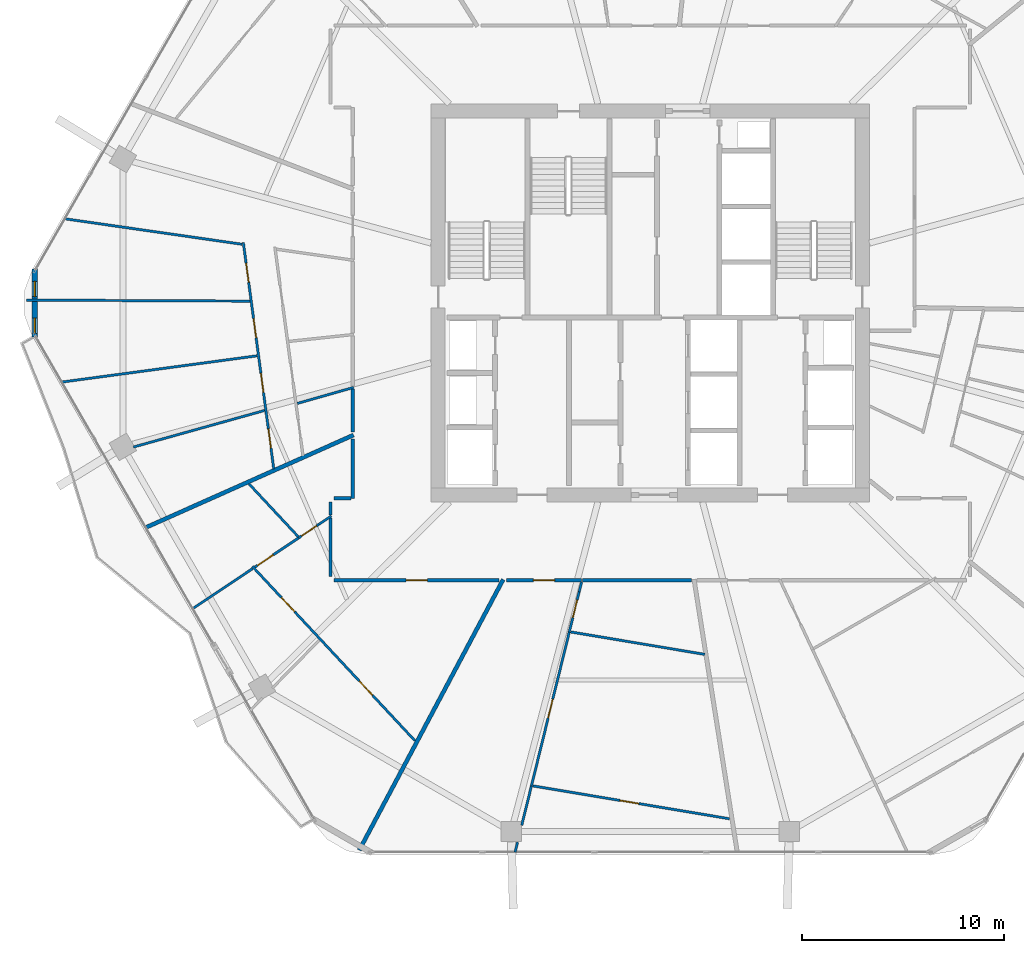
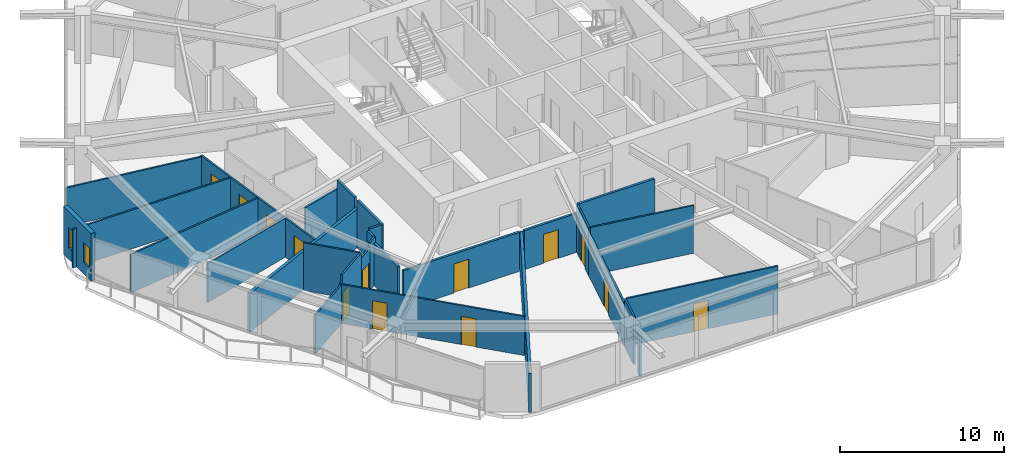
# One storey, part 17 of 25: 30 walls, 13 doors, 2 windows, 15 openings.
"""IFC4 building model written with IfcOpenShell, lengths in metres."""

from ifc_helpers import new_model, si_unit, direction, frame, frame_2d, origin, place, context, subcontext, project, spatial, rectangle, extrude, material, layer, layer_set, type_object, element, fill, save


model = new_model("IFC4")

# Units and contexts
model_context = context("Model", 3, precision=1e-05, world=origin(), true_north=direction((0.0, 1.0)))
body_context = subcontext(model_context, "Body", "Model", "MODEL_VIEW")
ifc_project = project(units=[si_unit("LENGTHUNIT", "METRE"), si_unit("AREAUNIT", "SQUARE_METRE"), si_unit("VOLUMEUNIT", "CUBIC_METRE"), si_unit("PLANEANGLEUNIT", "RADIAN"), si_unit("MASSUNIT", "GRAM", prefix="KILO")], contexts=[model_context])

# Site, building, storey
site_placement = place(None, origin())
site = spatial("IfcSite", under=ifc_project, at=site_placement, CompositionType="ELEMENT")
building_placement = place(site_placement, origin())
building = spatial("IfcBuilding", under=site, at=building_placement, Name="Zuhravey Tower", CompositionType="ELEMENT")
storey_placement = place(building_placement, frame((0.0, 0.0, 180.800048828125)))
storey = spatial("IfcBuildingStorey", under=building, at=storey_placement, Name="L45", CompositionType="ELEMENT", Elevation=180.800048828125)

# Wall, opening, door
ifc_material_1 = material(Name="Gypsum fire-rated stud partition")
ifc_layer_1 = layer(ifc_material_1, 0.159912109375)
ifc_layer_set_1 = layer_set([ifc_layer_1], Name="Gypsum fire-rated stud partition")
wall_type_1 = type_object("IfcWallType", Name="Corridor Fire Partition 160", PredefinedType="PARTITIONING", material=ifc_layer_set_1)
wall_1_placement = place(storey_placement, frame((20.35009765625, 18.27001953125, 0.0), z_axis=(0.0, 0.0, 1.0), x_axis=(1.0, 0.0, 0.0)))
wall_1 = element("IfcWall", 1, at=wall_1_placement, inside=storey, type_object=wall_type_1, Name="L45 IW16 Partition 042", PredefinedType="PARTITIONING", context=body_context, shape_type="SweptSolid", body=[
    extrude(rectangle(XDim=8.17236328125, YDim=0.159912109375, at=frame_2d((4.086181640625, 0.0))), origin(), (0.0, 0.0, 1.0), 2.89990234375),
])
opening_1_placement = place(wall_1_placement, frame((3.561279296875, 0.0, 0.0)))
opening_1 = element("IfcOpeningElement", 2, at=opening_1_placement, cuts=wall_1, Name="Opening APD1", PredefinedType="OPENING", context=body_context, shape_type="SweptSolid", body=[
    extrude(rectangle(XDim=1.050048828125, YDim=2.14990234375, at=frame_2d((0.52490234375, 1.074951171875))), frame((0.0, 0.092041015625, 0.0), z_axis=(0.0, -1.0, 0.0), x_axis=(1.0, 0.0, 0.0)), (0.0, 0.0, 1.0), 0.183837890625),
])
ifc_material_2 = material(Name="Solid-core oak fire-rated leaf")
door_type_1 = type_object("IfcDoorType", Name="Apartment Entrance Fire Door 1050x2150", OperationType="NOTDEFINED", PredefinedType="DOOR", material=ifc_material_2)
door_1_placement = place(opening_1_placement, frame((1.050048828125, 0.0, 0.0), z_axis=(0.0, 0.0, 1.0), x_axis=(-1.0, 0.0, 0.0)))
door_1 = element("IfcDoor", 3, at=door_1_placement, inside=storey, type_object=door_type_1, Name="L45 Door 042.1", OperationType="SINGLE_SWING_RIGHT", OverallHeight=2.14990234375, OverallWidth=1.050048828125, PredefinedType="DOOR", context=body_context, shape_type="SweptSolid", body=[
    extrude(rectangle(XDim=1.050048828125, YDim=2.14990234375, at=frame_2d((0.52490234375, 1.074951171875))), frame((0.0, 0.02490234375, 0.0), z_axis=(0.0, -1.0, 0.0), x_axis=(1.0, 0.0, 0.0)), (0.0, 0.0, 1.0), 0.050048828125),
])
fill(opening_1, door_1)

wall_2_placement = place(storey_placement, frame((28.875244140625, 18.27001953125, 0.0), z_axis=(0.0, 0.0, 1.0), x_axis=(1.0, 0.0, 0.0)))
wall_2 = element("IfcWall", 4, at=wall_2_placement, inside=storey, type_object=wall_type_1, Name="L45 IW16 Partition 046", PredefinedType="PARTITIONING", context=body_context, shape_type="SweptSolid", body=[
    extrude(rectangle(XDim=3.7265625, YDim=0.159912109375, at=frame_2d((1.86328125, 0.0))), origin(), (0.0, 0.0, 1.0), 2.89990234375),
])
opening_2_placement = place(wall_2_placement, frame((1.33837890625, 0.0, 0.0)))
opening_2 = element("IfcOpeningElement", 5, at=opening_2_placement, cuts=wall_2, Name="Opening APD1", PredefinedType="OPENING", context=body_context, shape_type="SweptSolid", body=[
    extrude(rectangle(XDim=1.050048828125, YDim=2.14990234375, at=frame_2d((0.52490234375, 1.074951171875))), frame((0.0, 0.092041015625, 0.0), z_axis=(0.0, -1.0, 0.0), x_axis=(1.0, 0.0, 0.0)), (0.0, 0.0, 1.0), 0.183837890625),
])
door_2_placement = place(opening_2_placement, frame((1.050048828125, 0.0, 0.0), z_axis=(0.0, 0.0, 1.0), x_axis=(-1.0, 0.0, 0.0)))
door_2 = element("IfcDoor", 6, at=door_2_placement, inside=storey, type_object=door_type_1, Name="L45 Door 046.1", OperationType="SINGLE_SWING_RIGHT", OverallHeight=2.14990234375, OverallWidth=1.050048828125, PredefinedType="DOOR", context=body_context, shape_type="SweptSolid", body=[
    extrude(rectangle(XDim=1.050048828125, YDim=2.14990234375, at=frame_2d((0.52490234375, 1.074951171875))), frame((0.0, 0.02490234375, 0.0), z_axis=(0.0, -1.0, 0.0), x_axis=(1.0, 0.0, 0.0)), (0.0, 0.0, 1.0), 0.050048828125),
])
fill(opening_2, door_2)

# Walls
wall_3_placement = place(storey_placement, frame((21.27001953125, 27.734375, 0.0), z_axis=(0.0, 0.0, 1.0), x_axis=(0.0, -1.0, 0.0)))
element("IfcWall", 7, at=wall_3_placement, inside=storey, type_object=wall_type_1, Name="L45 IW16 Partition 113", PredefinedType="PARTITIONING", context=body_context, shape_type="SweptSolid", body=[
    extrude(rectangle(XDim=2.117431640625, YDim=0.159912109375, at=frame_2d((1.05859375, 0.0))), origin(), (0.0, 0.0, 1.0), 3.550048828125),
])
wall_4_placement = place(storey_placement, frame((20.169921875, 21.341064453125, 0.0), z_axis=(0.0, 0.0, 1.0), x_axis=(0.0, -1.0, 0.0)))
element("IfcWall", 8, at=wall_4_placement, inside=storey, type_object=wall_type_1, Name="L45 IW16 Partition 114", PredefinedType="PARTITIONING", context=body_context, shape_type="SweptSolid", body=[
    extrude(rectangle(XDim=2.89111328125, YDim=0.159912109375, at=frame_2d((1.445556640625, 0.0))), origin(), (0.0, 0.0, 1.0), 3.14990234375),
])
wall_5_placement = place(storey_placement, frame((21.27001953125, 25.26513671875, 0.0), z_axis=(0.0, 0.0, 1.0), x_axis=(0.0, -1.0, 0.0)))
element("IfcWall", 9, at=wall_5_placement, inside=storey, type_object=wall_type_1, Name="L45 IW16 Partition 115", PredefinedType="PARTITIONING", context=body_context, shape_type="SweptSolid", body=[
    extrude(rectangle(XDim=2.93505859375, YDim=0.159912109375, at=frame_2d((1.467529296875, 0.0))), origin(), (0.0, 0.0, 1.0), 3.550048828125),
])
wall_6_placement = place(storey_placement, frame((21.181884765625, 22.330078125, 0.0), z_axis=(0.0, 0.0, 1.0), x_axis=(-1.0, 0.0, 0.0)))
element("IfcWall", 10, at=wall_6_placement, inside=storey, type_object=wall_type_1, Name="L45 IW16 Partition 116", PredefinedType="PARTITIONING", context=body_context, shape_type="SweptSolid", body=[
    extrude(rectangle(XDim=0.831787109375, YDim=0.159912109375, at=frame_2d((0.416015625, 0.0))), origin(), (0.0, 0.0, 1.0), 3.550048828125),
])
wall_7_placement = place(storey_placement, frame((20.169921875, 22.14990234375, 0.0), z_axis=(0.0, 0.0, 1.0), x_axis=(0.0, -1.0, 0.0)))
element("IfcWall", 11, at=wall_7_placement, inside=storey, type_object=wall_type_1, Name="L45 IW16 Partition 117", PredefinedType="PARTITIONING", context=body_context, shape_type="SweptSolid", body=[
    extrude(rectangle(XDim=0.6455078125, YDim=0.159912109375, at=frame_2d((0.32275390625, 0.0))), origin(), (0.0, 0.0, 1.0), 3.550048828125),
])
wall_8_placement = place(storey_placement, frame((32.64306640625, 18.27001953125, 0.0), z_axis=(0.0, 0.0, 1.0), x_axis=(1.0, 0.0, 0.0)))
element("IfcWall", 12, at=wall_8_placement, inside=storey, type_object=wall_type_1, Name="L45 IW16 Partition 118", PredefinedType="PARTITIONING", context=body_context, shape_type="SweptSolid", body=[
    extrude(rectangle(XDim=5.388671875, YDim=0.159912109375, at=frame_2d((2.6943359375, 0.0))), origin(), (0.0, 0.0, 1.0), 3.550048828125),
])

# Wall, openings, windows
ifc_material_3 = material(Name="Precast concrete C40/50", Category="concrete")
ifc_layer_2 = layer(ifc_material_3, 0.280029296875)
ifc_layer_set_2 = layer_set([ifc_layer_2], Name="Precast concrete C40/50")
wall_type_2 = type_object("IfcWallType", Name="Crown Architectural Wall 280", PredefinedType="SOLIDWALL", material=ifc_layer_set_2)
wall_9_placement = place(storey_placement, frame((5.5283203125, 30.3173828125, 0.0), z_axis=(0.0, 0.0, 1.0), x_axis=(0.0, 1.0, 0.0)))
wall_9 = element("IfcWall", 13, at=wall_9_placement, inside=storey, type_object=wall_type_2, Name="L45 Rounded Corner Closure Wall EW28-06", PredefinedType="SOLIDWALL", context=body_context, shape_type="SweptSolid", body=[
    extrude(rectangle(XDim=3.365234375, YDim=0.280029296875, at=frame_2d((1.6826171875, 0.0))), origin(), (0.0, 0.0, 1.0), 3.550048828125),
])
opening_3_placement = place(wall_9_placement, frame((1.994384765625, 0.0, 0.85009765625)))
opening_3 = element("IfcOpeningElement", 14, at=opening_3_placement, cuts=wall_9, Name="Opening WN5", PredefinedType="OPENING", context=body_context, shape_type="SweptSolid", body=[
    extrude(rectangle(XDim=0.75, YDim=1.5, at=frame_2d((0.375, 0.75))), frame((0.0, 0.152099609375, 0.0), z_axis=(0.0, -1.0, 0.0), x_axis=(1.0, 0.0, 0.0)), (0.0, 0.0, 1.0), 0.303955078125),
])
opening_4_placement = place(wall_9_placement, frame((0.17919921875, 0.0, 0.85009765625)))
opening_4 = element("IfcOpeningElement", 15, at=opening_4_placement, cuts=wall_9, Name="Opening WN5", PredefinedType="OPENING", context=body_context, shape_type="SweptSolid", body=[
    extrude(rectangle(XDim=0.75, YDim=1.5, at=frame_2d((0.375, 0.75))), frame((0.0, 0.152099609375, 0.0), z_axis=(0.0, -1.0, 0.0), x_axis=(1.0, 0.0, 0.0)), (0.0, 0.0, 1.0), 0.303955078125),
])
ifc_material_4 = material(Name="Thermally broken aluminium and triple low-E glass", Category="aluminium")
window_type = type_object("IfcWindowType", Name="Residential Corner Casement Window 750x1500", PartitioningType="SINGLE_PANEL", PredefinedType="WINDOW", material=ifc_material_4)
window_1_placement = place(opening_3_placement, origin())
window_1 = element("IfcWindow", 16, at=window_1_placement, inside=storey, type_object=window_type, Name="L45 Corner Casement Window WN5-06.1", OverallHeight=1.5, OverallWidth=0.75, PartitioningType="SINGLE_PANEL", PredefinedType="WINDOW", context=body_context, shape_type="SweptSolid", body=[
    extrude(rectangle(XDim=0.75, YDim=1.5, at=frame_2d((0.375, 0.75))), frame((0.0, 0.030029296875, 0.0), z_axis=(0.0, -1.0, 0.0), x_axis=(1.0, 0.0, 0.0)), (0.0, 0.0, 1.0), 0.06005859375),
])
fill(opening_3, window_1)
window_2_placement = place(opening_4_placement, origin())
window_2 = element("IfcWindow", 17, at=window_2_placement, inside=storey, type_object=window_type, Name="L45 Corner Casement Window WN5-06.2", OverallHeight=1.5, OverallWidth=0.75, PartitioningType="SINGLE_PANEL", PredefinedType="WINDOW", context=body_context, shape_type="SweptSolid", body=[
    extrude(rectangle(XDim=0.75, YDim=1.5, at=frame_2d((0.375, 0.75))), frame((0.0, 0.030029296875, 0.0), z_axis=(0.0, -1.0, 0.0), x_axis=(1.0, 0.0, 0.0)), (0.0, 0.0, 1.0), 0.06005859375),
])
fill(opening_4, window_2)

# Walls
ifc_material_5 = material(Name="Gypsum double-stud party assembly")
ifc_layer_3 = layer(ifc_material_5, 0.199951171875)
ifc_layer_set_3 = layer_set([ifc_layer_3], Name="Gypsum double-stud party assembly")
wall_type_3 = type_object("IfcWallType", Name="Inter-Tenancy Party Wall 200", PredefinedType="PARTITIONING", material=ifc_layer_set_3)
wall_10_placement = place(storey_placement, frame((21.31005859375, 25.459716796875, 0.0), z_axis=(0.0, 0.0, 1.0), x_axis=(-0.913543837416, -0.406740282146, 0.0)))
element("IfcWall", 18, at=wall_10_placement, inside=storey, type_object=wall_type_3, Name="L45 IW20 Partition 081", PredefinedType="PARTITIONING", context=body_context, shape_type="SweptSolid", body=[
    extrude(rectangle(XDim=11.252685546875, YDim=0.199951171875, at=frame_2d((5.62646484375, 0.0))), origin(), (0.0, 0.0, 1.0), 2.869873046875),
])
wall_11_placement = place(storey_placement, frame((28.720947265625, 18.31005859375, 0.0), z_axis=(0.0, 0.0, 1.0), x_axis=(-0.469463317487, -0.882951976913, 0.0)))
element("IfcWall", 19, at=wall_11_placement, inside=storey, type_object=wall_type_3, Name="L45 IW20 Partition 086", PredefinedType="PARTITIONING", context=body_context, shape_type="SweptSolid", body=[
    extrude(rectangle(XDim=15.178466796875, YDim=0.199951171875, at=frame_2d((7.58935546875, 0.0))), origin(), (0.0, 0.0, 1.0), 2.869873046875),
])

# Wall, openings, doors
ifc_material_6 = material(Name="Gypsum metal-stud partition")
ifc_layer_4 = layer(ifc_material_6, 0.1201171875)
ifc_layer_set_4 = layer_set([ifc_layer_4], Name="Gypsum metal-stud partition")
wall_type_4 = type_object("IfcWallType", Name="Unit Internal Partition 120", PredefinedType="PARTITIONING", material=ifc_layer_set_4)
wall_12_placement = place(storey_placement, frame((15.85400390625, 34.9970703125, 0.0), z_axis=(0.0, 0.0, 1.0), x_axis=(0.133279106394, -0.991078543708, 0.0)))
wall_12 = element("IfcWall", 20, at=wall_12_placement, inside=storey, type_object=wall_type_4, Name="L45 IW12 Partition 036", PredefinedType="PARTITIONING", context=body_context, shape_type="SweptSolid", body=[
    extrude(rectangle(XDim=11.311279296875, YDim=0.1201171875, at=frame_2d((5.65576171875, 0.0))), origin(), (0.0, 0.0, 1.0), 2.89990234375),
])
opening_5_placement = place(wall_12_placement, frame((1.041748046875, 0.0, 0.0)))
opening_5 = element("IfcOpeningElement", 21, at=opening_5_placement, cuts=wall_12, Name="Opening IND1", PredefinedType="OPENING", context=body_context, shape_type="SweptSolid", body=[
    extrude(rectangle(XDim=0.949951171875, YDim=2.10009765625, at=frame_2d((0.47509765625, 1.050048828125))), frame((0.0, 0.072021484375, 0.0), z_axis=(0.0, -1.0, 0.0), x_axis=(1.0, 0.0, 0.0)), (0.0, 0.0, 1.0), 0.14404296875),
])
opening_6_placement = place(wall_12_placement, frame((3.819091796875, 0.0, 0.0)))
opening_6 = element("IfcOpeningElement", 22, at=opening_6_placement, cuts=wall_12, Name="Opening IND1", PredefinedType="OPENING", context=body_context, shape_type="SweptSolid", body=[
    extrude(rectangle(XDim=0.949951171875, YDim=2.10009765625, at=frame_2d((0.47509765625, 1.050048828125))), frame((0.0, 0.072021484375, 0.0), z_axis=(0.0, -1.0, 0.0), x_axis=(1.0, 0.0, 0.0)), (0.0, 0.0, 1.0), 0.14404296875),
])
opening_7_placement = place(wall_12_placement, frame((6.5419921875, 0.0, 0.0)))
opening_7 = element("IfcOpeningElement", 23, at=opening_7_placement, cuts=wall_12, Name="Opening IND1", PredefinedType="OPENING", context=body_context, shape_type="SweptSolid", body=[
    extrude(rectangle(XDim=0.949951171875, YDim=2.10009765625, at=frame_2d((0.47509765625, 1.050048828125))), frame((0.0, 0.072021484375, 0.0), z_axis=(0.0, -1.0, 0.0), x_axis=(1.0, 0.0, 0.0)), (0.0, 0.0, 1.0), 0.14404296875),
])
opening_8_placement = place(wall_12_placement, frame((9.319580078125, 0.0, 0.0)))
opening_8 = element("IfcOpeningElement", 24, at=opening_8_placement, cuts=wall_12, Name="Opening IND1", PredefinedType="OPENING", context=body_context, shape_type="SweptSolid", body=[
    extrude(rectangle(XDim=0.949951171875, YDim=2.10009765625, at=frame_2d((0.47509765625, 1.050048828125))), frame((0.0, 0.072021484375, 0.0), z_axis=(0.0, -1.0, 0.0), x_axis=(1.0, 0.0, 0.0)), (0.0, 0.0, 1.0), 0.14404296875),
])
ifc_material_7 = material(Name="Painted engineered timber leaf", Category="wood")
door_type_2 = type_object("IfcDoorType", Name="Internal Room & Bedroom Door 950x2100", OperationType="NOTDEFINED", PredefinedType="DOOR", material=ifc_material_7)
door_3_placement = place(opening_5_placement, frame((0.949951171875, 0.0, 0.0), z_axis=(0.0, 0.0, 1.0), x_axis=(-1.0, 0.0, 0.0)))
door_3 = element("IfcDoor", 25, at=door_3_placement, inside=storey, type_object=door_type_2, Name="Apartment L45-04 Bedroom 1 Door", OperationType="SINGLE_SWING_LEFT", OverallHeight=2.10009765625, OverallWidth=0.949951171875, PredefinedType="DOOR", context=body_context, shape_type="SweptSolid", body=[
    extrude(rectangle(XDim=0.949951171875, YDim=2.10009765625, at=frame_2d((0.47509765625, 1.050048828125))), frame((0.0, 0.02490234375, 0.0), z_axis=(0.0, -1.0, 0.0), x_axis=(1.0, 0.0, 0.0)), (0.0, 0.0, 1.0), 0.050048828125),
])
fill(opening_5, door_3)
door_4_placement = place(opening_6_placement, frame((0.949951171875, 0.0, 0.0), z_axis=(0.0, 0.0, 1.0), x_axis=(-1.0, 0.0, 0.0)))
door_4 = element("IfcDoor", 26, at=door_4_placement, inside=storey, type_object=door_type_2, Name="Apartment L45-04 Bedroom 2 Door", OperationType="SINGLE_SWING_RIGHT", OverallHeight=2.10009765625, OverallWidth=0.949951171875, PredefinedType="DOOR", context=body_context, shape_type="SweptSolid", body=[
    extrude(rectangle(XDim=0.949951171875, YDim=2.10009765625, at=frame_2d((0.47509765625, 1.050048828125))), frame((0.0, 0.02490234375, 0.0), z_axis=(0.0, -1.0, 0.0), x_axis=(1.0, 0.0, 0.0)), (0.0, 0.0, 1.0), 0.050048828125),
])
fill(opening_6, door_4)
door_5_placement = place(opening_7_placement, frame((0.949951171875, 0.0, 0.0), z_axis=(0.0, 0.0, 1.0), x_axis=(-1.0, 0.0, 0.0)))
door_5 = element("IfcDoor", 27, at=door_5_placement, inside=storey, type_object=door_type_2, Name="Apartment L45-04 Bedroom 3 Door", OperationType="SINGLE_SWING_LEFT", OverallHeight=2.10009765625, OverallWidth=0.949951171875, PredefinedType="DOOR", context=body_context, shape_type="SweptSolid", body=[
    extrude(rectangle(XDim=0.949951171875, YDim=2.10009765625, at=frame_2d((0.47509765625, 1.050048828125))), frame((0.0, 0.02490234375, 0.0), z_axis=(0.0, -1.0, 0.0), x_axis=(1.0, 0.0, 0.0)), (0.0, 0.0, 1.0), 0.050048828125),
])
fill(opening_7, door_5)
door_6_placement = place(opening_8_placement, frame((0.949951171875, 0.0, 0.0), z_axis=(0.0, 0.0, 1.0), x_axis=(-1.0, 0.0, 0.0)))
door_6 = element("IfcDoor", 28, at=door_6_placement, inside=storey, type_object=door_type_2, Name="Apartment L45-04 Bedroom 4 Door", OperationType="SINGLE_SWING_RIGHT", OverallHeight=2.10009765625, OverallWidth=0.949951171875, PredefinedType="DOOR", context=body_context, shape_type="SweptSolid", body=[
    extrude(rectangle(XDim=0.949951171875, YDim=2.10009765625, at=frame_2d((0.47509765625, 1.050048828125))), frame((0.0, 0.02490234375, 0.0), z_axis=(0.0, -1.0, 0.0), x_axis=(1.0, 0.0, 0.0)), (0.0, 0.0, 1.0), 0.050048828125),
])
fill(opening_8, door_6)

wall_13_placement = place(storey_placement, frame((16.301513671875, 18.9580078125, 0.0), z_axis=(0.0, 0.0, 1.0), x_axis=(0.681998933698, -0.731353166695, 0.0)))
wall_13 = element("IfcWall", 29, at=wall_13_placement, inside=storey, type_object=wall_type_4, Name="L45 IW12 Partition 038", PredefinedType="PARTITIONING", context=body_context, shape_type="SweptSolid", body=[
    extrude(rectangle(XDim=11.7978515625, YDim=0.1201171875, at=frame_2d((5.89892578125, 0.0))), origin(), (0.0, 0.0, 1.0), 2.89990234375),
])
opening_9_placement = place(wall_13_placement, frame((2.1103515625, 0.0, 0.0)))
opening_9 = element("IfcOpeningElement", 30, at=opening_9_placement, cuts=wall_13, Name="Opening IND1", PredefinedType="OPENING", context=body_context, shape_type="SweptSolid", body=[
    extrude(rectangle(XDim=0.949951171875, YDim=2.10009765625, at=frame_2d((0.47509765625, 1.050048828125))), frame((0.0, 0.072021484375, 0.0), z_axis=(0.0, -1.0, 0.0), x_axis=(1.0, 0.0, 0.0)), (0.0, 0.0, 1.0), 0.14404296875),
])
opening_10_placement = place(wall_13_placement, frame((7.769287109375, 0.0, 0.0)))
opening_10 = element("IfcOpeningElement", 31, at=opening_10_placement, cuts=wall_13, Name="Opening IND1", PredefinedType="OPENING", context=body_context, shape_type="SweptSolid", body=[
    extrude(rectangle(XDim=0.949951171875, YDim=2.10009765625, at=frame_2d((0.47509765625, 1.050048828125))), frame((0.0, 0.072021484375, 0.0), z_axis=(0.0, -1.0, 0.0), x_axis=(1.0, 0.0, 0.0)), (0.0, 0.0, 1.0), 0.14404296875),
])
door_7_placement = place(opening_9_placement, frame((0.949951171875, 0.0, 0.0), z_axis=(0.0, 0.0, 1.0), x_axis=(-1.0, 0.0, 0.0)))
door_7 = element("IfcDoor", 32, at=door_7_placement, inside=storey, type_object=door_type_2, Name="Apartment L45-05 Family Study Door", OperationType="SINGLE_SWING_RIGHT", OverallHeight=2.10009765625, OverallWidth=0.949951171875, PredefinedType="DOOR", context=body_context, shape_type="SweptSolid", body=[
    extrude(rectangle(XDim=0.949951171875, YDim=2.10009765625, at=frame_2d((0.47509765625, 1.050048828125))), frame((0.0, 0.02490234375, 0.0), z_axis=(0.0, -1.0, 0.0), x_axis=(1.0, 0.0, 0.0)), (0.0, 0.0, 1.0), 0.050048828125),
])
fill(opening_9, door_7)
door_8_placement = place(opening_10_placement, frame((0.949951171875, 0.0, 0.0), z_axis=(0.0, 0.0, 1.0), x_axis=(-1.0, 0.0, 0.0)))
door_8 = element("IfcDoor", 33, at=door_8_placement, inside=storey, type_object=door_type_2, Name="Apartment L45-05 Dining Room Door", OperationType="SINGLE_SWING_LEFT", OverallHeight=2.10009765625, OverallWidth=0.949951171875, PredefinedType="DOOR", context=body_context, shape_type="SweptSolid", body=[
    extrude(rectangle(XDim=0.949951171875, YDim=2.10009765625, at=frame_2d((0.47509765625, 1.050048828125))), frame((0.0, 0.02490234375, 0.0), z_axis=(0.0, -1.0, 0.0), x_axis=(1.0, 0.0, 0.0)), (0.0, 0.0, 1.0), 0.050048828125),
])
fill(opening_10, door_8)

# Wall, opening, door
wall_14_placement = place(storey_placement, frame((19.60009765625, 21.0419921875, 0.0), z_axis=(0.0, 0.0, 1.0), x_axis=(-0.831460345356, -0.555584101735, 0.0)))
wall_14 = element("IfcWall", 34, at=wall_14_placement, inside=storey, type_object=wall_type_4, Name="L45 IW12 Partition 039", PredefinedType="PARTITIONING", context=body_context, shape_type="SweptSolid", body=[
    extrude(rectangle(XDim=1.210693359375, YDim=0.1201171875, at=frame_2d((0.60546875, 0.0))), origin(), (0.0, 0.0, 1.0), 3.14990234375),
])
opening_11_placement = place(wall_14_placement, frame((0.139892578125, 0.0, 0.0)))
opening_11 = element("IfcOpeningElement", 35, at=opening_11_placement, cuts=wall_14, Name="Opening WCD1", PredefinedType="OPENING", context=body_context, shape_type="SweptSolid", body=[
    extrude(rectangle(XDim=0.89990234375, YDim=2.10009765625, at=frame_2d((0.449951171875, 1.050048828125))), frame((0.0, 0.072021484375, 0.0), z_axis=(0.0, -1.0, 0.0), x_axis=(1.0, 0.0, 0.0)), (0.0, 0.0, 1.0), 0.14404296875),
])
ifc_material_8 = material(Name="Moisture-resistant timber leaf", Category="wood")
door_type_3 = type_object("IfcDoorType", Name="Bathroom & WC Internal Door 900x2100", OperationType="NOTDEFINED", PredefinedType="DOOR", material=ifc_material_8)
door_9_placement = place(opening_11_placement, frame((0.89990234375, 0.0, 0.0), z_axis=(0.0, 0.0, 1.0), x_axis=(-1.0, 0.0, 0.0)))
door_9 = element("IfcDoor", 36, at=door_9_placement, inside=storey, type_object=door_type_3, Name="Apartment L45-05 Bathroom Door", OperationType="SINGLE_SWING_RIGHT", OverallHeight=2.10009765625, OverallWidth=0.89990234375, PredefinedType="DOOR", context=body_context, shape_type="SweptSolid", body=[
    extrude(rectangle(XDim=0.89990234375, YDim=2.10009765625, at=frame_2d((0.449951171875, 1.050048828125))), frame((0.0, 0.02490234375, 0.0), z_axis=(0.0, -1.0, 0.0), x_axis=(1.0, 0.0, 0.0)), (0.0, 0.0, 1.0), 0.050048828125),
])
fill(opening_11, door_9)

wall_15_placement = place(storey_placement, frame((18.593505859375, 20.369384765625, 0.0), z_axis=(0.0, 0.0, 1.0), x_axis=(-0.831487480853, -0.555543489913, 0.0)))
wall_15 = element("IfcWall", 37, at=wall_15_placement, inside=storey, type_object=wall_type_4, Name="L45 IW12 Partition 040", PredefinedType="PARTITIONING", context=body_context, shape_type="SweptSolid", body=[
    extrude(rectangle(XDim=2.604736328125, YDim=0.1201171875, at=frame_2d((1.30224609375, 0.0))), origin(), (0.0, 0.0, 1.0), 3.550048828125),
])
opening_12_placement = place(wall_15_placement, frame((1.510498046875, 0.0, 0.0)))
opening_12 = element("IfcOpeningElement", 38, at=opening_12_placement, cuts=wall_15, Name="Opening IND1", PredefinedType="OPENING", context=body_context, shape_type="SweptSolid", body=[
    extrude(rectangle(XDim=0.949951171875, YDim=2.10009765625, at=frame_2d((0.47509765625, 1.050048828125))), frame((0.0, 0.072021484375, 0.0), z_axis=(0.0, -1.0, 0.0), x_axis=(1.0, 0.0, 0.0)), (0.0, 0.0, 1.0), 0.14404296875),
])
door_10_placement = place(opening_12_placement, frame((0.949951171875, 0.0, 0.0), z_axis=(0.0, 0.0, 1.0), x_axis=(-1.0, 0.0, 0.0)))
door_10 = element("IfcDoor", 39, at=door_10_placement, inside=storey, type_object=door_type_2, Name="Apartment L45-05 Bedroom 1 Door", OperationType="SINGLE_SWING_LEFT", OverallHeight=2.10009765625, OverallWidth=0.949951171875, PredefinedType="DOOR", context=body_context, shape_type="SweptSolid", body=[
    extrude(rectangle(XDim=0.949951171875, YDim=2.10009765625, at=frame_2d((0.47509765625, 1.050048828125))), frame((0.0, 0.02490234375, 0.0), z_axis=(0.0, -1.0, 0.0), x_axis=(1.0, 0.0, 0.0)), (0.0, 0.0, 1.0), 0.050048828125),
])
fill(opening_12, door_10)

# Wall
wall_16_placement = place(storey_placement, frame((16.313232421875, 18.845703125, 0.0), z_axis=(0.0, 0.0, 1.0), x_axis=(-0.831481603923, -0.555552285872, 0.0)))
element("IfcWall", 40, at=wall_16_placement, inside=storey, type_object=wall_type_4, Name="L45 IW12 Partition 041", PredefinedType="PARTITIONING", context=body_context, shape_type="SweptSolid", body=[
    extrude(rectangle(XDim=3.5693359375, YDim=0.1201171875, at=frame_2d((1.78466796875, 0.0))), origin(), (0.0, 0.0, 1.0), 2.869873046875),
])

# Wall, opening, door
wall_17_placement = place(storey_placement, frame((32.482421875, 17.699951171875, 0.0), z_axis=(0.0, 0.0, 1.0), x_axis=(-0.238993265464, -0.971021224826, 0.0)))
wall_17 = element("IfcWall", 41, at=wall_17_placement, inside=storey, type_object=wall_type_4, Name="L45 IW12 Partition 043", PredefinedType="PARTITIONING", context=body_context, shape_type="SweptSolid", body=[
    extrude(rectangle(XDim=2.060546875, YDim=0.1201171875, at=frame_2d((1.0302734375, 0.0))), origin(), (0.0, 0.0, 1.0), 3.550048828125),
])
opening_13_placement = place(wall_17_placement, frame((0.415283203125, 0.0, 0.0)))
opening_13 = element("IfcOpeningElement", 42, at=opening_13_placement, cuts=wall_17, Name="Opening WCD1", PredefinedType="OPENING", context=body_context, shape_type="SweptSolid", body=[
    extrude(rectangle(XDim=0.89990234375, YDim=2.10009765625, at=frame_2d((0.449951171875, 1.050048828125))), frame((0.0, 0.072021484375, 0.0), z_axis=(0.0, -1.0, 0.0), x_axis=(1.0, 0.0, 0.0)), (0.0, 0.0, 1.0), 0.14404296875),
])
door_11_placement = place(opening_13_placement, origin())
door_11 = element("IfcDoor", 43, at=door_11_placement, inside=storey, type_object=door_type_3, Name="Apartment L45-06 Bathroom Door", OperationType="SINGLE_SWING_LEFT", OverallHeight=2.10009765625, OverallWidth=0.89990234375, PredefinedType="DOOR", context=body_context, shape_type="SweptSolid", body=[
    extrude(rectangle(XDim=0.89990234375, YDim=2.10009765625, at=frame_2d((0.449951171875, 1.050048828125))), frame((0.0, 0.02490234375, 0.0), z_axis=(0.0, -1.0, 0.0), x_axis=(1.0, 0.0, 0.0)), (0.0, 0.0, 1.0), 0.050048828125),
])
fill(opening_13, door_11)

wall_18_placement = place(storey_placement, frame((31.989990234375, 15.69921875, 0.0), z_axis=(0.0, 0.0, 1.0), x_axis=(-0.238859295783, -0.971054188405, 0.0)))
wall_18 = element("IfcWall", 44, at=wall_18_placement, inside=storey, type_object=wall_type_4, Name="L45 IW12 Partition 044", PredefinedType="PARTITIONING", context=body_context, shape_type="SweptSolid", body=[
    extrude(rectangle(XDim=7.84765625, YDim=0.1201171875, at=frame_2d((3.923828125, 0.0))), origin(), (0.0, 0.0, 1.0), 3.14990234375),
])
opening_14_placement = place(wall_18_placement, frame((3.423828125, 0.0, 0.0)))
opening_14 = element("IfcOpeningElement", 45, at=opening_14_placement, cuts=wall_18, Name="Opening IND1", PredefinedType="OPENING", context=body_context, shape_type="SweptSolid", body=[
    extrude(rectangle(XDim=0.949951171875, YDim=2.10009765625, at=frame_2d((0.47509765625, 1.050048828125))), frame((0.0, 0.072021484375, 0.0), z_axis=(0.0, -1.0, 0.0), x_axis=(1.0, 0.0, 0.0)), (0.0, 0.0, 1.0), 0.14404296875),
])
door_12_placement = place(opening_14_placement, origin())
door_12 = element("IfcDoor", 46, at=door_12_placement, inside=storey, type_object=door_type_2, Name="Apartment L45-06 Home Office Door", OperationType="SINGLE_SWING_RIGHT", OverallHeight=2.10009765625, OverallWidth=0.949951171875, PredefinedType="DOOR", context=body_context, shape_type="SweptSolid", body=[
    extrude(rectangle(XDim=0.949951171875, YDim=2.10009765625, at=frame_2d((0.47509765625, 1.050048828125))), frame((0.0, 0.02490234375, 0.0), z_axis=(0.0, -1.0, 0.0), x_axis=(1.0, 0.0, 0.0)), (0.0, 0.0, 1.0), 0.050048828125),
])
fill(opening_14, door_12)

wall_19_placement = place(storey_placement, frame((30.188720703125, 8.091552734375, 0.0), z_axis=(0.0, 0.0, 1.0), x_axis=(0.986287356635, -0.165037117469, 0.0)))
wall_19 = element("IfcWall", 47, at=wall_19_placement, inside=storey, type_object=wall_type_4, Name="L45 IW12 Partition 045", PredefinedType="PARTITIONING", context=body_context, shape_type="SweptSolid", body=[
    extrude(rectangle(XDim=9.864013671875, YDim=0.1201171875, at=frame_2d((4.93212890625, 0.0))), origin(), (0.0, 0.0, 1.0), 3.550048828125),
])
opening_15_placement = place(wall_19_placement, frame((4.372802734375, 0.0, 0.0)))
opening_15 = element("IfcOpeningElement", 48, at=opening_15_placement, cuts=wall_19, Name="Opening IND1", PredefinedType="OPENING", context=body_context, shape_type="SweptSolid", body=[
    extrude(rectangle(XDim=0.949951171875, YDim=2.10009765625, at=frame_2d((0.47509765625, 1.050048828125))), frame((0.0, 0.072021484375, 0.0), z_axis=(0.0, -1.0, 0.0), x_axis=(1.0, 0.0, 0.0)), (0.0, 0.0, 1.0), 0.14404296875),
])
door_13_placement = place(opening_15_placement, frame((0.949951171875, 0.0, 0.0), z_axis=(0.0, 0.0, 1.0), x_axis=(-1.0, 0.0, 0.0)))
door_13 = element("IfcDoor", 49, at=door_13_placement, inside=storey, type_object=door_type_2, Name="Apartment L45-06 Bedroom 1 Door", OperationType="SINGLE_SWING_LEFT", OverallHeight=2.10009765625, OverallWidth=0.949951171875, PredefinedType="DOOR", context=body_context, shape_type="SweptSolid", body=[
    extrude(rectangle(XDim=0.949951171875, YDim=2.10009765625, at=frame_2d((0.47509765625, 1.050048828125))), frame((0.0, 0.02490234375, 0.0), z_axis=(0.0, -1.0, 0.0), x_axis=(1.0, 0.0, 0.0)), (0.0, 0.0, 1.0), 0.050048828125),
])
fill(opening_15, door_13)

# Walls
wall_20_placement = place(storey_placement, frame((21.320068359375, 27.819091796875, 0.0), z_axis=(0.0, 0.0, 1.0), x_axis=(-0.961771119413, -0.273854548737, 0.0)))
element("IfcWall", 50, at=wall_20_placement, inside=storey, type_object=wall_type_4, Name="L45 IW12 Partition 075", PredefinedType="PARTITIONING", context=body_context, shape_type="SweptSolid", body=[
    extrude(rectangle(XDim=2.90283203125, YDim=0.1201171875, at=frame_2d((1.451416015625, 0.0))), origin(), (0.0, 0.0, 1.0), 2.89990234375),
])
wall_21_placement = place(storey_placement, frame((16.17626953125, 32.08984375, 0.0), z_axis=(0.0, 0.0, 1.0), x_axis=(-0.999989631639, 0.004553747245, 0.0)))
element("IfcWall", 51, at=wall_21_placement, inside=storey, type_object=wall_type_4, Name="L45 IW12 Partition 076", PredefinedType="PARTITIONING", context=body_context, shape_type="SweptSolid", body=[
    extrude(rectangle(XDim=11.044189453125, YDim=0.1201171875, at=frame_2d((5.52197265625, 0.0))), origin(), (0.0, 0.0, 1.0), 2.869873046875),
])
wall_22_placement = place(storey_placement, frame((16.540283203125, 29.3828125, 0.0), z_axis=(0.0, 0.0, 1.0), x_axis=(-0.991077690838, -0.133285448281, 0.0)))
element("IfcWall", 52, at=wall_22_placement, inside=storey, type_object=wall_type_4, Name="L45 IW12 Partition 077", PredefinedType="PARTITIONING", context=body_context, shape_type="SweptSolid", body=[
    extrude(rectangle(XDim=9.764892578125, YDim=0.1201171875, at=frame_2d((4.88232421875, 0.0))), origin(), (0.0, 0.0, 1.0), 2.869873046875),
])
wall_23_placement = place(storey_placement, frame((16.904296875, 26.675537109375, 0.0), z_axis=(0.0, 0.0, 1.0), x_axis=(-0.963259527587, -0.26857230407, 0.0)))
element("IfcWall", 53, at=wall_23_placement, inside=storey, type_object=wall_type_4, Name="L45 IW12 Partition 078", PredefinedType="PARTITIONING", context=body_context, shape_type="SweptSolid", body=[
    extrude(rectangle(XDim=6.739501953125, YDim=0.1201171875, at=frame_2d((3.36962890625, 0.0))), origin(), (0.0, 0.0, 1.0), 2.89990234375),
])
wall_24_placement = place(storey_placement, frame((15.7978515625, 34.904052734375, 0.0), z_axis=(0.0, 0.0, 1.0), x_axis=(-0.989827080259, 0.142275616979, 0.0)))
element("IfcWall", 54, at=wall_24_placement, inside=storey, type_object=wall_type_4, Name="L45 IW12 Partition 080", PredefinedType="PARTITIONING", context=body_context, shape_type="SweptSolid", body=[
    extrude(rectangle(XDim=8.8818359375, YDim=0.1201171875, at=frame_2d((4.44091796875, 0.0))), origin(), (0.0, 0.0, 1.0), 2.869873046875),
])
wall_25_placement = place(storey_placement, frame((20.215087890625, 21.452880859375, 0.0), z_axis=(0.0, 0.0, 1.0), x_axis=(-0.831491262241, -0.555537830231, 0.0)))
element("IfcWall", 55, at=wall_25_placement, inside=storey, type_object=wall_type_4, Name="L45 IW12 Partition 084", PredefinedType="PARTITIONING", context=body_context, shape_type="SweptSolid", body=[
    extrude(rectangle(XDim=0.739501953125, YDim=0.1201171875, at=frame_2d((0.36962890625, 0.0))), origin(), (0.0, 0.0, 1.0), 3.550048828125),
])
wall_26_placement = place(storey_placement, frame((16.138427734375, 23.038818359375, 0.0), z_axis=(0.0, 0.0, 1.0), x_axis=(0.682000707563, -0.731351512532, 0.0)))
element("IfcWall", 56, at=wall_26_placement, inside=storey, type_object=wall_type_4, Name="L45 IW12 Partition 085", PredefinedType="PARTITIONING", context=body_context, shape_type="SweptSolid", body=[
    extrude(rectangle(XDim=3.561767578125, YDim=0.1201171875, at=frame_2d((1.78076171875, 0.0))), origin(), (0.0, 0.0, 1.0), 3.550048828125),
])
wall_27_placement = place(storey_placement, frame((32.600830078125, 18.181884765625, 0.0), z_axis=(0.0, 0.0, 1.0), x_axis=(-0.238597992299, -0.971118426388, 0.0)))
element("IfcWall", 57, at=wall_27_placement, inside=storey, type_object=wall_type_4, Name="L45 IW12 Partition 087", PredefinedType="PARTITIONING", context=body_context, shape_type="SweptSolid", body=[
    extrude(rectangle(XDim=0.496337890625, YDim=0.1201171875, at=frame_2d((0.248046875, 0.0))), origin(), (0.0, 0.0, 1.0), 3.550048828125),
])
wall_28_placement = place(storey_placement, frame((30.115478515625, 8.07861328125, 0.0), z_axis=(0.0, 0.0, 1.0), x_axis=(-0.238912739116, -0.971041040887, 0.0)))
element("IfcWall", 58, at=wall_28_placement, inside=storey, type_object=wall_type_4, Name="L45 IW12 Partition 088", PredefinedType="PARTITIONING", context=body_context, shape_type="SweptSolid", body=[
    extrude(rectangle(XDim=1.998779296875, YDim=0.1201171875, at=frame_2d((0.99951171875, 0.0))), origin(), (0.0, 0.0, 1.0), 3.550048828125),
])
wall_29_placement = place(storey_placement, frame((29.43359375, 5.306884765625, 0.0), z_axis=(0.0, 0.0, 1.0), x_axis=(-0.238810360324, -0.97106622421, 0.0)))
element("IfcWall", 59, at=wall_29_placement, inside=storey, type_object=wall_type_4, Name="L45 IW12 Partition 089", PredefinedType="PARTITIONING", context=body_context, shape_type="SweptSolid", body=[
    extrude(rectangle(XDim=0.509033203125, YDim=0.1201171875, at=frame_2d((0.25439453125, 0.0))), origin(), (0.0, 0.0, 1.0), 3.1220703125),
])
wall_30_placement = place(storey_placement, frame((32.063232421875, 15.71240234375, 0.0), z_axis=(0.0, 0.0, 1.0), x_axis=(0.986279965102, -0.165081284339, 0.0)))
element("IfcWall", 60, at=wall_30_placement, inside=storey, type_object=wall_type_4, Name="L45 IW12 Partition 090", PredefinedType="PARTITIONING", context=body_context, shape_type="SweptSolid", body=[
    extrude(rectangle(XDim=6.73046875, YDim=0.1201171875, at=frame_2d((3.365234375, 0.0))), origin(), (0.0, 0.0, 1.0), 3.550048828125),
])

save(model, "model.ifc")
